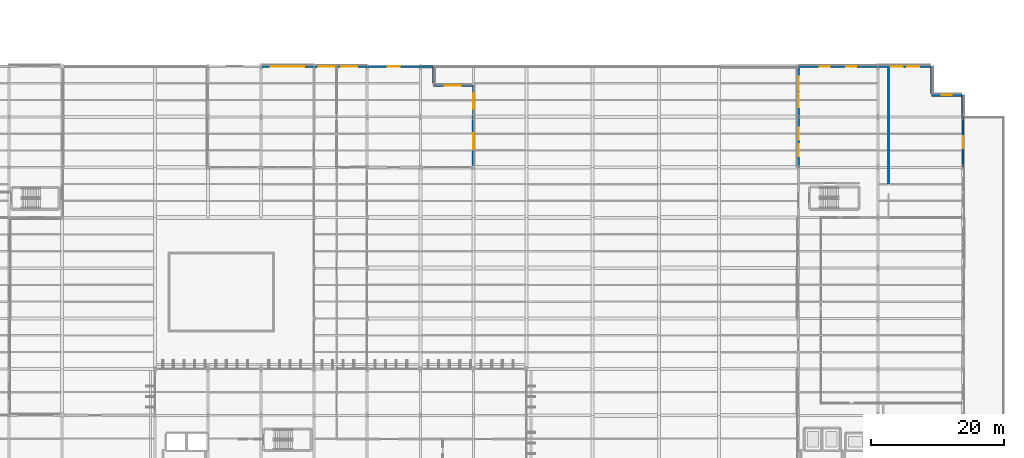
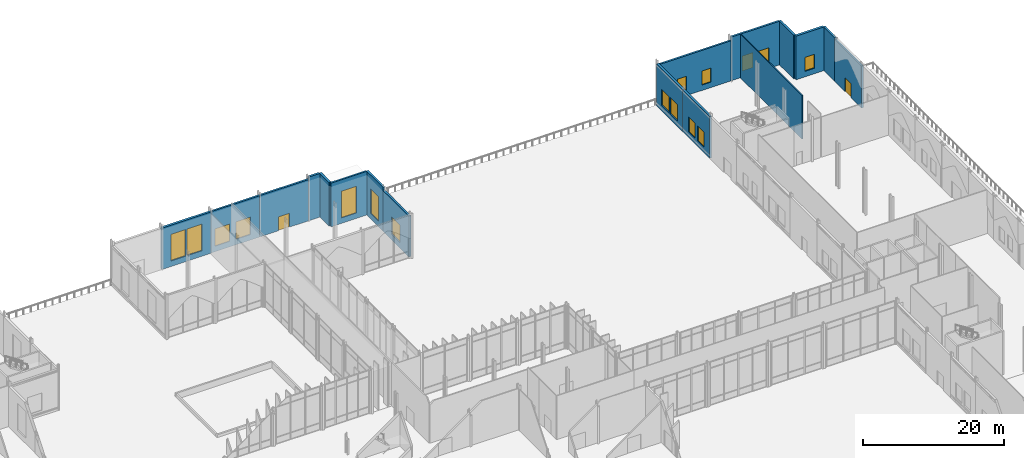
# One storey, part 149 of 176: 17 walls, 16 windows, 2 doors, 18 openings.
"""IFC4 building model written with IfcOpenShell, lengths in metres."""

from ifc_helpers import new_model, si_unit, direction, frame, frame_2d, origin, place, context, subcontext, project, spatial, rectangle, extrude, material, layer, layer_set, type_object, element, fill, save


model = new_model("IFC4")

# Units and contexts
model_context = context("Model", 3, precision=1e-05, world=origin(), true_north=direction((0.0, 1.0)))
body_context = subcontext(model_context, "Body", "Model", "MODEL_VIEW")
ifc_project = project(units=[si_unit("LENGTHUNIT", "METRE"), si_unit("AREAUNIT", "SQUARE_METRE"), si_unit("VOLUMEUNIT", "CUBIC_METRE"), si_unit("PLANEANGLEUNIT", "RADIAN"), si_unit("MASSUNIT", "GRAM", prefix="KILO")], contexts=[model_context])

# Site, building, storey
site_placement = place(None, origin())
site = spatial("IfcSite", under=ifc_project, at=site_placement, CompositionType="ELEMENT")
building_placement = place(site_placement, origin())
building = spatial("IfcBuilding", under=site, at=building_placement, Name="Vekula Escarpment Museum", CompositionType="ELEMENT")
storey_placement = place(building_placement, origin())
storey = spatial("IfcBuildingStorey", under=building, at=storey_placement, Name="L01", CompositionType="ELEMENT", Elevation=0.0)

# Wall
ifc_material_1 = material(Name="Inkisi arkosic sandstone masonry", Category="masonry")
ifc_layer_1 = layer(ifc_material_1, 0.300048828125)
ifc_layer_set_1 = layer_set([ifc_layer_1], Name="Inkisi arkosic sandstone masonry")
wall_type_1 = type_object("IfcWallType", Name="WL-ALM-300", PredefinedType="SOLIDWALL", material=ifc_layer_set_1)
wall_1_placement = place(storey_placement, frame((191.800048828125, 131.66796875, 0.0), z_axis=(0.0, 0.0, 1.0), x_axis=(0.0, -1.0, 0.0)))
element("IfcWall", 1, at=wall_1_placement, inside=storey, type_object=wall_type_1, Name="Exterior Wall WL-EXT-L01-0135", PredefinedType="SOLIDWALL", context=body_context, shape_type="SweptSolid", body=[
    extrude(rectangle(XDim=3.26806640625, YDim=0.300048828125, at=frame_2d((1.634033203125, 0.0))), origin(), (0.0, 0.0, 1.0), 7.5400390625),
])

# Wall, openings, windows
wall_2_placement = place(storey_placement, frame((167.0, 136.0, 0.0), z_axis=(0.0, 0.0, 1.0), x_axis=(1.0, 0.0, 0.0)))
wall_2 = element("IfcWall", 2, at=wall_2_placement, inside=storey, type_object=wall_type_1, Name="Exterior Wall WL-EXT-L01-0139", PredefinedType="SOLIDWALL", context=body_context, shape_type="SweptSolid", body=[
    extrude(rectangle(XDim=12.0, YDim=0.300048828125, at=frame_2d((6.0, 0.0))), origin(), (0.0, 0.0, 1.0), 6.925048828125),
])
opening_1_placement = place(wall_2_placement, frame((3.25, 0.0, 0.949951171875)))
opening_1 = element("IfcOpeningElement", 3, at=opening_1_placement, cuts=wall_2, Name="Opening WN-06", PredefinedType="OPENING", context=body_context, shape_type="SweptSolid", body=[
    extrude(rectangle(XDim=1.5, YDim=2.39990234375, at=frame_2d((0.75, 1.199951171875))), frame((0.0, 0.159912109375, 0.0), z_axis=(0.0, -1.0, 0.0), x_axis=(1.0, 0.0, 0.0)), (0.0, 0.0, 1.0), 0.320068359375),
])
opening_2_placement = place(wall_2_placement, frame((7.25, 0.0, 0.949951171875)))
opening_2 = element("IfcOpeningElement", 4, at=opening_2_placement, cuts=wall_2, Name="Opening WN-06", PredefinedType="OPENING", context=body_context, shape_type="SweptSolid", body=[
    extrude(rectangle(XDim=1.5, YDim=2.39990234375, at=frame_2d((0.75, 1.199951171875))), frame((0.0, 0.159912109375, 0.0), z_axis=(0.0, -1.0, 0.0), x_axis=(1.0, 0.0, 0.0)), (0.0, 0.0, 1.0), 0.320068359375),
])
ifc_material_2 = material(Name="Double solar-control low-E glass", Category="glass")
window_type_1 = type_object("IfcWindowType", Name="WN-CUMBA-15x24", PartitioningType="SINGLE_PANEL", PredefinedType="WINDOW", material=ifc_material_2)
window_1_placement = place(opening_1_placement, origin())
window_1 = element("IfcWindow", 5, at=window_1_placement, inside=storey, type_object=window_type_1, Name="Window L01-0049", OverallHeight=2.39990234375, OverallWidth=1.5, PartitioningType="SINGLE_PANEL", PredefinedType="WINDOW", context=body_context, shape_type="SweptSolid", body=[
    extrude(rectangle(XDim=1.5, YDim=2.39990234375, at=frame_2d((0.75, 1.199951171875))), frame((0.0, 0.030029296875, 0.0), z_axis=(0.0, -1.0, 0.0), x_axis=(1.0, 0.0, 0.0)), (0.0, 0.0, 1.0), 0.06005859375),
])
fill(opening_1, window_1)
window_2_placement = place(opening_2_placement, origin())
window_2 = element("IfcWindow", 6, at=window_2_placement, inside=storey, type_object=window_type_1, Name="Window L01-0050", OverallHeight=2.39990234375, OverallWidth=1.5, PartitioningType="SINGLE_PANEL", PredefinedType="WINDOW", context=body_context, shape_type="SweptSolid", body=[
    extrude(rectangle(XDim=1.5, YDim=2.39990234375, at=frame_2d((0.75, 1.199951171875))), frame((0.0, 0.030029296875, 0.0), z_axis=(0.0, -1.0, 0.0), x_axis=(1.0, 0.0, 0.0)), (0.0, 0.0, 1.0), 0.06005859375),
])
fill(opening_2, window_2)

# Wall, opening, window
wall_3_placement = place(storey_placement, frame((112.0, 133.112060546875, 0.0), z_axis=(0.0, 0.0, 1.0), x_axis=(1.0, 0.0, 0.0)))
wall_3 = element("IfcWall", 7, at=wall_3_placement, inside=storey, type_object=wall_type_1, Name="Exterior Wall WL-EXT-L01-0179", PredefinedType="SOLIDWALL", context=body_context, shape_type="SweptSolid", body=[
    extrude(rectangle(XDim=5.8359375, YDim=0.300048828125, at=frame_2d((2.91796875, 0.0))), origin(), (0.0, 0.0, 1.0), 7.5400390625),
])
opening_3_placement = place(wall_3_placement, frame((1.718017578125, 0.0, 0.949951171875)))
opening_3 = element("IfcOpeningElement", 8, at=opening_3_placement, cuts=wall_3, Name="Opening WN-05", PredefinedType="OPENING", context=body_context, shape_type="SweptSolid", body=[
    extrude(rectangle(XDim=2.39990234375, YDim=4.60009765625, at=frame_2d((1.199951171875, 2.300048828125))), frame((0.0, 0.159912109375, 0.0), z_axis=(0.0, -1.0, 0.0), x_axis=(1.0, 0.0, 0.0)), (0.0, 0.0, 1.0), 0.320068359375),
])
ifc_material_3 = material(Name="Double solar-control low-E glass", Category="glass")
window_type_2 = type_object("IfcWindowType", Name="WN-ARCH-24x46", PartitioningType="TRIPLE_PANEL_VERTICAL", PredefinedType="WINDOW", material=ifc_material_3)
window_3_placement = place(opening_3_placement, origin())
window_3 = element("IfcWindow", 9, at=window_3_placement, inside=storey, type_object=window_type_2, Name="Window L01-0065", OverallHeight=4.60009765625, OverallWidth=2.39990234375, PartitioningType="SINGLE_PANEL", PredefinedType="WINDOW", context=body_context, shape_type="SweptSolid", body=[
    extrude(rectangle(XDim=2.39990234375, YDim=4.60009765625, at=frame_2d((1.199951171875, 2.300048828125))), frame((0.0, 0.030029296875, 0.0), z_axis=(0.0, -1.0, 0.0), x_axis=(1.0, 0.0, 0.0)), (0.0, 0.0, 1.0), 0.06005859375),
])
fill(opening_3, window_3)

# Wall, openings, windows
wall_4_placement = place(storey_placement, frame((94.0, 136.0, 0.0), z_axis=(0.0, 0.0, 1.0), x_axis=(1.0, 0.0, 0.0)))
wall_4 = element("IfcWall", 10, at=wall_4_placement, inside=storey, type_object=wall_type_1, Name="Exterior Wall WL-EXT-L01-0183", PredefinedType="SOLIDWALL", context=body_context, shape_type="SweptSolid", body=[
    extrude(rectangle(XDim=8.0, YDim=0.300048828125, at=frame_2d((4.0, 0.0))), origin(), (0.0, 0.0, 1.0), 7.135009765625),
])
opening_4_placement = place(wall_4_placement, frame((0.699951171875, 0.0, 0.949951171875)))
opening_4 = element("IfcOpeningElement", 11, at=opening_4_placement, cuts=wall_4, Name="Opening WN-14", PredefinedType="OPENING", context=body_context, shape_type="SweptSolid", body=[
    extrude(rectangle(XDim=2.39990234375, YDim=3.0, at=frame_2d((1.199951171875, 1.5))), frame((0.0, 0.159912109375, 0.0), z_axis=(0.0, -1.0, 0.0), x_axis=(1.0, 0.0, 0.0)), (0.0, 0.0, 1.0), 0.320068359375),
])
opening_5_placement = place(wall_4_placement, frame((4.10009765625, 0.0, 0.949951171875)))
opening_5 = element("IfcOpeningElement", 12, at=opening_5_placement, cuts=wall_4, Name="Opening WN-14", PredefinedType="OPENING", context=body_context, shape_type="SweptSolid", body=[
    extrude(rectangle(XDim=2.39990234375, YDim=3.0, at=frame_2d((1.199951171875, 1.5))), frame((0.0, 0.159912109375, 0.0), z_axis=(0.0, -1.0, 0.0), x_axis=(1.0, 0.0, 0.0)), (0.0, 0.0, 1.0), 0.320068359375),
])
ifc_material_4 = material(Name="Double solar-control low-E glass", Category="glass")
window_type_3 = type_object("IfcWindowType", Name="WN-CAFE-24x30", PartitioningType="TRIPLE_PANEL_VERTICAL", PredefinedType="WINDOW", material=ifc_material_4)
window_4_placement = place(opening_4_placement, origin())
window_4 = element("IfcWindow", 13, at=window_4_placement, inside=storey, type_object=window_type_3, Name="Window L01-0066", OverallHeight=3.0, OverallWidth=2.39990234375, PartitioningType="SINGLE_PANEL", PredefinedType="WINDOW", context=body_context, shape_type="SweptSolid", body=[
    extrude(rectangle(XDim=2.39990234375, YDim=3.0, at=frame_2d((1.199951171875, 1.5))), frame((0.0, 0.030029296875, 0.0), z_axis=(0.0, -1.0, 0.0), x_axis=(1.0, 0.0, 0.0)), (0.0, 0.0, 1.0), 0.06005859375),
])
fill(opening_4, window_4)
window_5_placement = place(opening_5_placement, origin())
window_5 = element("IfcWindow", 14, at=window_5_placement, inside=storey, type_object=window_type_3, Name="Window L01-0067", OverallHeight=3.0, OverallWidth=2.39990234375, PartitioningType="SINGLE_PANEL", PredefinedType="WINDOW", context=body_context, shape_type="SweptSolid", body=[
    extrude(rectangle(XDim=2.39990234375, YDim=3.0, at=frame_2d((1.199951171875, 1.5))), frame((0.0, 0.030029296875, 0.0), z_axis=(0.0, -1.0, 0.0), x_axis=(1.0, 0.0, 0.0)), (0.0, 0.0, 1.0), 0.06005859375),
])
fill(opening_5, window_5)

# Wall, opening, door
ifc_material_5 = material(Name="Inkisi arkosic sandstone masonry", Category="masonry")
ifc_layer_2 = layer(ifc_material_5, 0.320068359375)
ifc_layer_set_2 = layer_set([ifc_layer_2], Name="Inkisi arkosic sandstone masonry")
wall_type_2 = type_object("IfcWallType", Name="WL-ALM-320", PredefinedType="SOLIDWALL", material=ifc_layer_set_2)
wall_5_placement = place(storey_placement, frame((191.800048828125, 128.39990234375, 0.0), z_axis=(0.0, 0.0, 1.0), x_axis=(0.0, -1.0, 0.0)))
wall_5 = element("IfcWall", 15, at=wall_5_placement, inside=storey, type_object=wall_type_2, Name="Exterior Wall WL-EXT-L01-0134", PredefinedType="SOLIDWALL", context=body_context, shape_type="SweptSolid", body=[
    extrude(rectangle(XDim=7.599853515625, YDim=0.320068359375, at=frame_2d((3.7998046875, 0.0))), origin(), (0.0, 0.0, 1.0), 7.235107421875),
])
opening_6_placement = place(wall_5_placement, frame((2.89990234375, 0.0, 0.0)))
opening_6 = element("IfcOpeningElement", 16, at=opening_6_placement, cuts=wall_5, Name="Opening D-EX09", PredefinedType="OPENING", context=body_context, shape_type="SweptSolid", body=[
    extrude(rectangle(XDim=1.800048828125, YDim=2.39990234375, at=frame_2d((0.89990234375, 1.199951171875))), frame((0.0, 0.169921875, 0.0), z_axis=(0.0, -1.0, 0.0), x_axis=(1.0, 0.0, 0.0)), (0.0, 0.0, 1.0), 0.340087890625),
])
ifc_material_6 = material(Name="Powder-coated steel exit door", Category="steel")
door_type = type_object("IfcDoorType", Name="DR-EX-1800x2400", OperationType="NOTDEFINED", PredefinedType="DOOR", material=ifc_material_6)
door_1_placement = place(opening_6_placement, origin())
door_1 = element("IfcDoor", 17, at=door_1_placement, inside=storey, type_object=door_type, Name="Northeast Library Exit Door D-EX09", OperationType="SINGLE_SWING_LEFT", OverallHeight=2.39990234375, OverallWidth=1.800048828125, PredefinedType="DOOR", context=body_context, shape_type="SweptSolid", body=[
    extrude(rectangle(XDim=1.800048828125, YDim=2.39990234375, at=frame_2d((0.89990234375, 1.199951171875))), frame((0.0, 0.02490234375, 0.0), z_axis=(0.0, -1.0, 0.0), x_axis=(1.0, 0.0, 0.0)), (0.0, 0.0, 1.0), 0.050048828125),
])
fill(opening_6, door_1)

# Wall, openings, windows
wall_6_placement = place(storey_placement, frame((179.0, 136.0, 0.0), z_axis=(0.0, 0.0, 1.0), x_axis=(1.0, 0.0, 0.0)))
wall_6 = element("IfcWall", 18, at=wall_6_placement, inside=storey, type_object=wall_type_2, Name="Exterior Wall WL-EXT-L01-0138", PredefinedType="SOLIDWALL", context=body_context, shape_type="SweptSolid", body=[
    extrude(rectangle(XDim=7.908935546875, YDim=0.320068359375, at=frame_2d((3.95458984375, 0.0))), origin(), (0.0, 0.0, 1.0), 7.5400390625),
])
opening_7_placement = place(wall_6_placement, frame((1.89990234375, 0.0, 0.949951171875)))
opening_7 = element("IfcOpeningElement", 19, at=opening_7_placement, cuts=wall_6, Name="Opening WN-07", PredefinedType="OPENING", context=body_context, shape_type="SweptSolid", body=[
    extrude(rectangle(XDim=1.800048828125, YDim=2.60009765625, at=frame_2d((0.89990234375, 1.300048828125))), frame((0.0, 0.169921875, 0.0), z_axis=(0.0, -1.0, 0.0), x_axis=(1.0, 0.0, 0.0)), (0.0, 0.0, 1.0), 0.340087890625),
])
opening_8_placement = place(wall_6_placement, frame((4.39990234375, 0.0, 0.949951171875)))
opening_8 = element("IfcOpeningElement", 20, at=opening_8_placement, cuts=wall_6, Name="Opening WN-07", PredefinedType="OPENING", context=body_context, shape_type="SweptSolid", body=[
    extrude(rectangle(XDim=1.800048828125, YDim=2.60009765625, at=frame_2d((0.89990234375, 1.300048828125))), frame((0.0, 0.169921875, 0.0), z_axis=(0.0, -1.0, 0.0), x_axis=(1.0, 0.0, 0.0)), (0.0, 0.0, 1.0), 0.340087890625),
])
ifc_material_7 = material(Name="Double solar-control low-E glass", Category="glass")
window_type_4 = type_object("IfcWindowType", Name="WN-CUMBA-18x26", PartitioningType="DOUBLE_PANEL_VERTICAL", PredefinedType="WINDOW", material=ifc_material_7)
window_6_placement = place(opening_7_placement, origin())
window_6 = element("IfcWindow", 21, at=window_6_placement, inside=storey, type_object=window_type_4, Name="Window L01-0047", OverallHeight=2.60009765625, OverallWidth=1.800048828125, PartitioningType="SINGLE_PANEL", PredefinedType="WINDOW", context=body_context, shape_type="SweptSolid", body=[
    extrude(rectangle(XDim=1.800048828125, YDim=2.60009765625, at=frame_2d((0.89990234375, 1.300048828125))), frame((0.0, 0.030029296875, 0.0), z_axis=(0.0, -1.0, 0.0), x_axis=(1.0, 0.0, 0.0)), (0.0, 0.0, 1.0), 0.06005859375),
])
fill(opening_7, window_6)
window_7_placement = place(opening_8_placement, origin())
window_7 = element("IfcWindow", 22, at=window_7_placement, inside=storey, type_object=window_type_4, Name="Window L01-0048", OverallHeight=2.60009765625, OverallWidth=1.800048828125, PartitioningType="SINGLE_PANEL", PredefinedType="WINDOW", context=body_context, shape_type="SweptSolid", body=[
    extrude(rectangle(XDim=1.800048828125, YDim=2.60009765625, at=frame_2d((0.89990234375, 1.300048828125))), frame((0.0, 0.030029296875, 0.0), z_axis=(0.0, -1.0, 0.0), x_axis=(1.0, 0.0, 0.0)), (0.0, 0.0, 1.0), 0.06005859375),
])
fill(opening_8, window_7)

# Wall, opening, window
wall_7_placement = place(storey_placement, frame((118.0, 133.112060546875, 0.0), z_axis=(0.0, 0.0, 1.0), x_axis=(0.0, -1.0, 0.0)))
wall_7 = element("IfcWall", 23, at=wall_7_placement, inside=storey, type_object=wall_type_2, Name="Exterior Wall WL-EXT-L01-0178", PredefinedType="SOLIDWALL", context=body_context, shape_type="SweptSolid", body=[
    extrude(rectangle(XDim=4.712158203125, YDim=0.320068359375, at=frame_2d((2.35595703125, 0.0))), origin(), (0.0, 0.0, 1.0), 7.5400390625),
])
opening_9_placement = place(wall_7_placement, frame((1.256103515625, 0.0, 0.949951171875)))
opening_9 = element("IfcOpeningElement", 24, at=opening_9_placement, cuts=wall_7, Name="Opening WN-04", PredefinedType="OPENING", context=body_context, shape_type="SweptSolid", body=[
    extrude(rectangle(XDim=2.199951171875, YDim=4.199951171875, at=frame_2d((1.10009765625, 2.10009765625))), frame((0.0, 0.169921875, 0.0), z_axis=(0.0, -1.0, 0.0), x_axis=(1.0, 0.0, 0.0)), (0.0, 0.0, 1.0), 0.340087890625),
])
ifc_material_8 = material(Name="Double solar-control low-E glass", Category="glass")
window_type_5 = type_object("IfcWindowType", Name="WN-ARCH-22x42", PartitioningType="DOUBLE_PANEL_VERTICAL", PredefinedType="WINDOW", material=ifc_material_8)
window_8_placement = place(opening_9_placement, origin())
window_8 = element("IfcWindow", 25, at=window_8_placement, inside=storey, type_object=window_type_5, Name="Window L01-0064", OverallHeight=4.199951171875, OverallWidth=2.199951171875, PartitioningType="SINGLE_PANEL", PredefinedType="WINDOW", context=body_context, shape_type="SweptSolid", body=[
    extrude(rectangle(XDim=2.199951171875, YDim=4.199951171875, at=frame_2d((1.10009765625, 2.10009765625))), frame((0.0, 0.030029296875, 0.0), z_axis=(0.0, -1.0, 0.0), x_axis=(1.0, 0.0, 0.0)), (0.0, 0.0, 1.0), 0.06005859375),
])
fill(opening_9, window_8)

# Wall, opening, door
wall_8_placement = place(storey_placement, frame((102.0, 136.0, 0.0), z_axis=(0.0, 0.0, 1.0), x_axis=(1.0, 0.0, 0.0)))
wall_8 = element("IfcWall", 26, at=wall_8_placement, inside=storey, type_object=wall_type_2, Name="Exterior Wall WL-EXT-L01-0182", PredefinedType="SOLIDWALL", context=body_context, shape_type="SweptSolid", body=[
    extrude(rectangle(XDim=8.0, YDim=0.320068359375, at=frame_2d((4.0, 0.0))), origin(), (0.0, 0.0, 1.0), 7.135009765625),
])
opening_10_placement = place(wall_8_placement, frame((3.10009765625, 0.0, 0.0)))
opening_10 = element("IfcOpeningElement", 27, at=opening_10_placement, cuts=wall_8, Name="Opening D-EX07", PredefinedType="OPENING", context=body_context, shape_type="SweptSolid", body=[
    extrude(rectangle(XDim=1.800048828125, YDim=2.39990234375, at=frame_2d((0.89990234375, 1.199951171875))), frame((0.0, 0.169921875, 0.0), z_axis=(0.0, -1.0, 0.0), x_axis=(1.0, 0.0, 0.0)), (0.0, 0.0, 1.0), 0.340087890625),
])
door_2_placement = place(opening_10_placement, origin())
door_2 = element("IfcDoor", 28, at=door_2_placement, inside=storey, type_object=door_type, Name="North Portico Exit Door D-EX07", OperationType="SINGLE_SWING_LEFT", OverallHeight=2.39990234375, OverallWidth=1.800048828125, PredefinedType="DOOR", context=body_context, shape_type="SweptSolid", body=[
    extrude(rectangle(XDim=1.800048828125, YDim=2.39990234375, at=frame_2d((0.89990234375, 1.199951171875))), frame((0.0, 0.02490234375, 0.0), z_axis=(0.0, -1.0, 0.0), x_axis=(1.0, 0.0, 0.0)), (0.0, 0.0, 1.0), 0.050048828125),
])
fill(opening_10, door_2)

# Wall
ifc_material_9 = material(Name="Inkisi arkosic sandstone masonry", Category="masonry")
ifc_layer_3 = layer(ifc_material_9, 0.35009765625)
ifc_layer_set_3 = layer_set([ifc_layer_3], Name="Inkisi arkosic sandstone masonry")
wall_type_3 = type_object("IfcWallType", Name="WL-ALM-350", PredefinedType="SOLIDWALL", material=ifc_layer_set_3)
wall_9_placement = place(storey_placement, frame((187.087890625, 136.0, 0.0), z_axis=(0.0, 0.0, 1.0), x_axis=(0.0, -1.0, 0.0)))
element("IfcWall", 29, at=wall_9_placement, inside=storey, type_object=wall_type_3, Name="Exterior Wall WL-EXT-L01-0137", PredefinedType="SOLIDWALL", context=body_context, shape_type="SweptSolid", body=[
    extrude(rectangle(XDim=4.137939453125, YDim=0.35009765625, at=frame_2d((2.06884765625, 0.0))), origin(), (0.0, 0.0, 1.0), 7.5400390625),
])

# Wall, openings, windows
wall_10_placement = place(storey_placement, frame((167.0, 120.800048828125, 0.0), z_axis=(0.0, 0.0, 1.0), x_axis=(0.0, 1.0, 0.0)))
wall_10 = element("IfcWall", 30, at=wall_10_placement, inside=storey, type_object=wall_type_3, Name="Exterior Wall WL-EXT-L01-0141", PredefinedType="SOLIDWALL", context=body_context, shape_type="SweptSolid", body=[
    extrude(rectangle(XDim=7.599853515625, YDim=0.35009765625, at=frame_2d((3.7998046875, 0.0))), origin(), (0.0, 0.0, 1.0), 7.235107421875),
])
opening_11_placement = place(wall_10_placement, frame((1.63330078125, 0.0, 0.949951171875)))
opening_11 = element("IfcOpeningElement", 31, at=opening_11_placement, cuts=wall_10, Name="Opening WN-07", PredefinedType="OPENING", context=body_context, shape_type="SweptSolid", body=[
    extrude(rectangle(XDim=1.800048828125, YDim=2.60009765625, at=frame_2d((0.89990234375, 1.300048828125))), frame((0.0, 0.18505859375, 0.0), z_axis=(0.0, -1.0, 0.0), x_axis=(1.0, 0.0, 0.0)), (0.0, 0.0, 1.0), 0.3701171875),
])
opening_12_placement = place(wall_10_placement, frame((4.166748046875, 0.0, 0.949951171875)))
opening_12 = element("IfcOpeningElement", 32, at=opening_12_placement, cuts=wall_10, Name="Opening WN-07", PredefinedType="OPENING", context=body_context, shape_type="SweptSolid", body=[
    extrude(rectangle(XDim=1.800048828125, YDim=2.60009765625, at=frame_2d((0.89990234375, 1.300048828125))), frame((0.0, 0.18505859375, 0.0), z_axis=(0.0, -1.0, 0.0), x_axis=(1.0, 0.0, 0.0)), (0.0, 0.0, 1.0), 0.3701171875),
])
window_9_placement = place(opening_11_placement, origin())
window_9 = element("IfcWindow", 33, at=window_9_placement, inside=storey, type_object=window_type_4, Name="Window L01-0053", OverallHeight=2.60009765625, OverallWidth=1.800048828125, PartitioningType="SINGLE_PANEL", PredefinedType="WINDOW", context=body_context, shape_type="SweptSolid", body=[
    extrude(rectangle(XDim=1.800048828125, YDim=2.60009765625, at=frame_2d((0.89990234375, 1.300048828125))), frame((0.0, 0.030029296875, 0.0), z_axis=(0.0, -1.0, 0.0), x_axis=(1.0, 0.0, 0.0)), (0.0, 0.0, 1.0), 0.06005859375),
])
fill(opening_11, window_9)
window_10_placement = place(opening_12_placement, origin())
window_10 = element("IfcWindow", 34, at=window_10_placement, inside=storey, type_object=window_type_4, Name="Window L01-0054", OverallHeight=2.60009765625, OverallWidth=1.800048828125, PartitioningType="SINGLE_PANEL", PredefinedType="WINDOW", context=body_context, shape_type="SweptSolid", body=[
    extrude(rectangle(XDim=1.800048828125, YDim=2.60009765625, at=frame_2d((0.89990234375, 1.300048828125))), frame((0.0, 0.030029296875, 0.0), z_axis=(0.0, -1.0, 0.0), x_axis=(1.0, 0.0, 0.0)), (0.0, 0.0, 1.0), 0.06005859375),
])
fill(opening_12, window_10)

# Wall, opening, window
wall_11_placement = place(storey_placement, frame((118.0, 128.39990234375, 0.0), z_axis=(0.0, 0.0, 1.0), x_axis=(0.0, -1.0, 0.0)))
wall_11 = element("IfcWall", 35, at=wall_11_placement, inside=storey, type_object=wall_type_3, Name="Exterior Wall WL-EXT-L01-0177", PredefinedType="SOLIDWALL", context=body_context, shape_type="SweptSolid", body=[
    extrude(rectangle(XDim=7.4208984375, YDim=0.35009765625, at=frame_2d((3.71044921875, 0.0))), origin(), (0.0, 0.0, 1.0), 7.02490234375),
])
opening_13_placement = place(wall_11_placement, frame((2.510498046875, 0.0, 0.949951171875)))
opening_13 = element("IfcOpeningElement", 36, at=opening_13_placement, cuts=wall_11, Name="Opening WN-14", PredefinedType="OPENING", context=body_context, shape_type="SweptSolid", body=[
    extrude(rectangle(XDim=2.39990234375, YDim=3.0, at=frame_2d((1.199951171875, 1.5))), frame((0.0, 0.18505859375, 0.0), z_axis=(0.0, -1.0, 0.0), x_axis=(1.0, 0.0, 0.0)), (0.0, 0.0, 1.0), 0.3701171875),
])
window_11_placement = place(opening_13_placement, origin())
window_11 = element("IfcWindow", 37, at=window_11_placement, inside=storey, type_object=window_type_3, Name="Window L01-0063", OverallHeight=3.0, OverallWidth=2.39990234375, PartitioningType="SINGLE_PANEL", PredefinedType="WINDOW", context=body_context, shape_type="SweptSolid", body=[
    extrude(rectangle(XDim=2.39990234375, YDim=3.0, at=frame_2d((1.199951171875, 1.5))), frame((0.0, 0.030029296875, 0.0), z_axis=(0.0, -1.0, 0.0), x_axis=(1.0, 0.0, 0.0)), (0.0, 0.0, 1.0), 0.06005859375),
])
fill(opening_13, window_11)

# Wall
wall_12_placement = place(storey_placement, frame((110.0, 136.0, 0.0), z_axis=(0.0, 0.0, 1.0), x_axis=(1.0, 0.0, 0.0)))
element("IfcWall", 38, at=wall_12_placement, inside=storey, type_object=wall_type_3, Name="Exterior Wall WL-EXT-L01-0181", PredefinedType="SOLIDWALL", context=body_context, shape_type="SweptSolid", body=[
    extrude(rectangle(XDim=1.805908203125, YDim=0.35009765625, at=frame_2d((0.90283203125, 0.0))), origin(), (0.0, 0.0, 1.0), 7.5400390625),
])

# Wall, opening, window
ifc_material_10 = material(Name="Inkisi arkosic sandstone masonry", Category="masonry")
ifc_layer_4 = layer(ifc_material_10, 0.3798828125)
ifc_layer_set_4 = layer_set([ifc_layer_4], Name="Inkisi arkosic sandstone masonry")
wall_type_4 = type_object("IfcWallType", Name="WL-ALM-380", PredefinedType="SOLIDWALL", material=ifc_layer_set_4)
wall_13_placement = place(storey_placement, frame((187.087890625, 131.66796875, 0.0), z_axis=(0.0, 0.0, 1.0), x_axis=(1.0, 0.0, 0.0)))
wall_13 = element("IfcWall", 39, at=wall_13_placement, inside=storey, type_object=wall_type_4, Name="Exterior Wall WL-EXT-L01-0136", PredefinedType="SOLIDWALL", context=body_context, shape_type="SweptSolid", body=[
    extrude(rectangle(XDim=4.55810546875, YDim=0.3798828125, at=frame_2d((2.279052734375, 0.0))), origin(), (0.0, 0.0, 1.0), 7.5400390625),
])
opening_14_placement = place(wall_13_placement, frame((1.529052734375, 0.0, 0.949951171875)))
opening_14 = element("IfcOpeningElement", 40, at=opening_14_placement, cuts=wall_13, Name="Opening WN-06", PredefinedType="OPENING", context=body_context, shape_type="SweptSolid", body=[
    extrude(rectangle(XDim=1.5, YDim=2.39990234375, at=frame_2d((0.75, 1.199951171875))), frame((0.0, 0.199951171875, 0.0), z_axis=(0.0, -1.0, 0.0), x_axis=(1.0, 0.0, 0.0)), (0.0, 0.0, 1.0), 0.39990234375),
])
window_12_placement = place(opening_14_placement, origin())
window_12 = element("IfcWindow", 41, at=window_12_placement, inside=storey, type_object=window_type_1, Name="Window L01-0046", OverallHeight=2.39990234375, OverallWidth=1.5, PartitioningType="SINGLE_PANEL", PredefinedType="WINDOW", context=body_context, shape_type="SweptSolid", body=[
    extrude(rectangle(XDim=1.5, YDim=2.39990234375, at=frame_2d((0.75, 1.199951171875))), frame((0.0, 0.030029296875, 0.0), z_axis=(0.0, -1.0, 0.0), x_axis=(1.0, 0.0, 0.0)), (0.0, 0.0, 1.0), 0.06005859375),
])
fill(opening_14, window_12)

# Wall, openings, windows
wall_14_placement = place(storey_placement, frame((167.0, 128.39990234375, 0.0), z_axis=(0.0, 0.0, 1.0), x_axis=(0.0, 1.0, 0.0)))
wall_14 = element("IfcWall", 42, at=wall_14_placement, inside=storey, type_object=wall_type_4, Name="Exterior Wall WL-EXT-L01-0140", PredefinedType="SOLIDWALL", context=body_context, shape_type="SweptSolid", body=[
    extrude(rectangle(XDim=7.446044921875, YDim=0.3798828125, at=frame_2d((3.72314453125, 0.0))), origin(), (0.0, 0.0, 1.0), 7.235107421875),
])
opening_15_placement = place(wall_14_placement, frame((1.431884765625, 0.0, 0.949951171875)))
opening_15 = element("IfcOpeningElement", 43, at=opening_15_placement, cuts=wall_14, Name="Opening WN-08", PredefinedType="OPENING", context=body_context, shape_type="SweptSolid", body=[
    extrude(rectangle(XDim=2.10009765625, YDim=2.800048828125, at=frame_2d((1.050048828125, 1.39990234375))), frame((0.0, 0.199951171875, 0.0), z_axis=(0.0, -1.0, 0.0), x_axis=(1.0, 0.0, 0.0)), (0.0, 0.0, 1.0), 0.39990234375),
])
opening_16_placement = place(wall_14_placement, frame((3.9140625, 0.0, 0.949951171875)))
opening_16 = element("IfcOpeningElement", 44, at=opening_16_placement, cuts=wall_14, Name="Opening WN-08", PredefinedType="OPENING", context=body_context, shape_type="SweptSolid", body=[
    extrude(rectangle(XDim=2.10009765625, YDim=2.800048828125, at=frame_2d((1.050048828125, 1.39990234375))), frame((0.0, 0.199951171875, 0.0), z_axis=(0.0, -1.0, 0.0), x_axis=(1.0, 0.0, 0.0)), (0.0, 0.0, 1.0), 0.39990234375),
])
ifc_material_11 = material(Name="Double solar-control low-E glass", Category="glass")
window_type_6 = type_object("IfcWindowType", Name="WN-CUMBA-21x28", PartitioningType="DOUBLE_PANEL_VERTICAL", PredefinedType="WINDOW", material=ifc_material_11)
window_13_placement = place(opening_15_placement, origin())
window_13 = element("IfcWindow", 45, at=window_13_placement, inside=storey, type_object=window_type_6, Name="Window L01-0051", OverallHeight=2.800048828125, OverallWidth=2.10009765625, PartitioningType="SINGLE_PANEL", PredefinedType="WINDOW", context=body_context, shape_type="SweptSolid", body=[
    extrude(rectangle(XDim=2.10009765625, YDim=2.800048828125, at=frame_2d((1.050048828125, 1.39990234375))), frame((0.0, 0.030029296875, 0.0), z_axis=(0.0, -1.0, 0.0), x_axis=(1.0, 0.0, 0.0)), (0.0, 0.0, 1.0), 0.06005859375),
])
fill(opening_15, window_13)
window_14_placement = place(opening_16_placement, origin())
window_14 = element("IfcWindow", 46, at=window_14_placement, inside=storey, type_object=window_type_6, Name="Window L01-0052", OverallHeight=2.800048828125, OverallWidth=2.10009765625, PartitioningType="SINGLE_PANEL", PredefinedType="WINDOW", context=body_context, shape_type="SweptSolid", body=[
    extrude(rectangle(XDim=2.10009765625, YDim=2.800048828125, at=frame_2d((1.050048828125, 1.39990234375))), frame((0.0, 0.030029296875, 0.0), z_axis=(0.0, -1.0, 0.0), x_axis=(1.0, 0.0, 0.0)), (0.0, 0.0, 1.0), 0.06005859375),
])
fill(opening_16, window_14)

# Wall
wall_15_placement = place(storey_placement, frame((112.0, 136.0, 0.0), z_axis=(0.0, 0.0, 1.0), x_axis=(0.0, -1.0, 0.0)))
element("IfcWall", 47, at=wall_15_placement, inside=storey, type_object=wall_type_4, Name="Exterior Wall WL-EXT-L01-0180", PredefinedType="SOLIDWALL", context=body_context, shape_type="SweptSolid", body=[
    extrude(rectangle(XDim=2.73388671875, YDim=0.3798828125, at=frame_2d((1.366943359375, 0.0))), origin(), (0.0, 0.0, 1.0), 7.5400390625),
])

# Wall, openings, windows
wall_16_placement = place(storey_placement, frame((86.0, 136.0, 0.0), z_axis=(0.0, 0.0, 1.0), x_axis=(1.0, 0.0, 0.0)))
wall_16 = element("IfcWall", 48, at=wall_16_placement, inside=storey, type_object=wall_type_4, Name="Exterior Wall WL-EXT-L01-0184", PredefinedType="SOLIDWALL", context=body_context, shape_type="SweptSolid", body=[
    extrude(rectangle(XDim=8.0, YDim=0.3798828125, at=frame_2d((4.0, 0.0))), origin(), (0.0, 0.0, 1.0), 7.135009765625),
])
opening_17_placement = place(wall_16_placement, frame((1.466796875, 0.0, 0.949951171875)))
opening_17 = element("IfcOpeningElement", 49, at=opening_17_placement, cuts=wall_16, Name="Opening WN-05", PredefinedType="OPENING", context=body_context, shape_type="SweptSolid", body=[
    extrude(rectangle(XDim=2.39990234375, YDim=4.60009765625, at=frame_2d((1.199951171875, 2.300048828125))), frame((0.0, 0.199951171875, 0.0), z_axis=(0.0, -1.0, 0.0), x_axis=(1.0, 0.0, 0.0)), (0.0, 0.0, 1.0), 0.39990234375),
])
opening_18_placement = place(wall_16_placement, frame((4.13330078125, 0.0, 0.949951171875)))
opening_18 = element("IfcOpeningElement", 50, at=opening_18_placement, cuts=wall_16, Name="Opening WN-05", PredefinedType="OPENING", context=body_context, shape_type="SweptSolid", body=[
    extrude(rectangle(XDim=2.39990234375, YDim=4.60009765625, at=frame_2d((1.199951171875, 2.300048828125))), frame((0.0, 0.199951171875, 0.0), z_axis=(0.0, -1.0, 0.0), x_axis=(1.0, 0.0, 0.0)), (0.0, 0.0, 1.0), 0.39990234375),
])
window_15_placement = place(opening_17_placement, origin())
window_15 = element("IfcWindow", 51, at=window_15_placement, inside=storey, type_object=window_type_2, Name="Window L01-0068", OverallHeight=4.60009765625, OverallWidth=2.39990234375, PartitioningType="SINGLE_PANEL", PredefinedType="WINDOW", context=body_context, shape_type="SweptSolid", body=[
    extrude(rectangle(XDim=2.39990234375, YDim=4.60009765625, at=frame_2d((1.199951171875, 2.300048828125))), frame((0.0, 0.030029296875, 0.0), z_axis=(0.0, -1.0, 0.0), x_axis=(1.0, 0.0, 0.0)), (0.0, 0.0, 1.0), 0.06005859375),
])
fill(opening_17, window_15)
window_16_placement = place(opening_18_placement, origin())
window_16 = element("IfcWindow", 52, at=window_16_placement, inside=storey, type_object=window_type_2, Name="Window L01-0069", OverallHeight=4.60009765625, OverallWidth=2.39990234375, PartitioningType="SINGLE_PANEL", PredefinedType="WINDOW", context=body_context, shape_type="SweptSolid", body=[
    extrude(rectangle(XDim=2.39990234375, YDim=4.60009765625, at=frame_2d((1.199951171875, 2.300048828125))), frame((0.0, 0.030029296875, 0.0), z_axis=(0.0, -1.0, 0.0), x_axis=(1.0, 0.0, 0.0)), (0.0, 0.0, 1.0), 0.06005859375),
])
fill(opening_18, window_16)

# Wall
ifc_material_12 = material(Name="Gypsum board dry-lined partition", Category="gypsum")
ifc_layer_5 = layer(ifc_material_12, 0.14990234375)
ifc_layer_set_5 = layer_set([ifc_layer_5], Name="Gypsum board dry-lined partition")
wall_type_5 = type_object("IfcWallType", Name="WL-PART-150", PredefinedType="PARTITIONING", material=ifc_layer_set_5)
wall_17_placement = place(storey_placement, frame((180.60009765625, 118.39990234375, 0.0), z_axis=(0.0, 0.0, 1.0), x_axis=(0.0, 1.0, 0.0)))
element("IfcWall", 53, at=wall_17_placement, inside=storey, type_object=wall_type_5, Name="Interior Partition WL-INT-L01-0014", PredefinedType="PARTITIONING", context=body_context, shape_type="SweptSolid", body=[
    extrude(rectangle(XDim=17.43603515625, YDim=0.14990234375, at=frame_2d((8.718017578125, 0.0))), origin(), (0.0, 0.0, 1.0), 7.5400390625),
])

save(model, "model.ifc")
